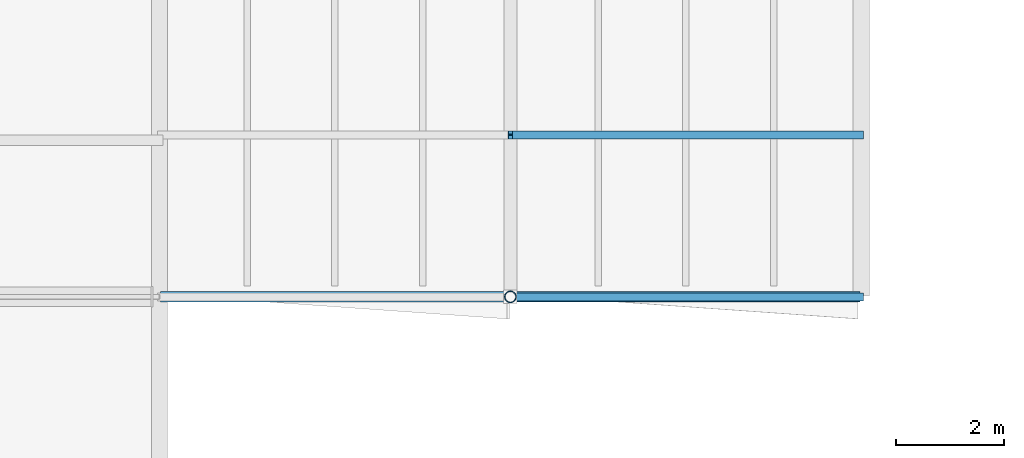
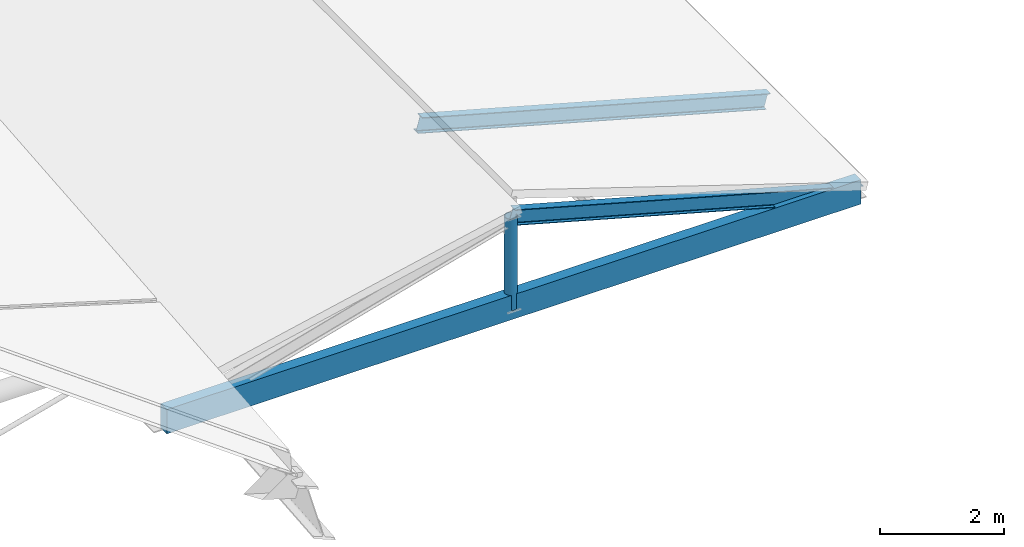
# One storey, part 66 of 90: 3 members, 1 beam.
"""IFC4 building model written with IfcOpenShell, lengths in metres."""

from ifc_helpers import new_model, si_unit, direction, frame, origin, origin_2d, place, context, subcontext, project, spatial, rectangle, hollow_circle, i_section, extrude, material, material_profile, profile_set, type_object, element, save


model = new_model("IFC4")

# Units and contexts
model_context = context("Model", 3, precision=1e-05, world=origin(), true_north=direction((0.0, 1.0)))
body_context = subcontext(model_context, "Body", "Model", "MODEL_VIEW")
ifc_project = project(units=[si_unit("LENGTHUNIT", "METRE"), si_unit("AREAUNIT", "SQUARE_METRE"), si_unit("VOLUMEUNIT", "CUBIC_METRE"), si_unit("PLANEANGLEUNIT", "RADIAN"), si_unit("MASSUNIT", "GRAM", prefix="KILO"), si_unit("THERMODYNAMICTEMPERATUREUNIT", "KELVIN"), si_unit("POWERUNIT", "WATT")], contexts=[model_context])

# Site, building, storey
site_placement = place(None, origin())
site = spatial("IfcSite", under=ifc_project, at=site_placement, CompositionType="ELEMENT")
building_placement = place(site_placement, origin())
building = spatial("IfcBuilding", under=site, at=building_placement, Name="Korenveer Ferry Terminal", CompositionType="ELEMENT")
storey_placement = place(building_placement, frame((0.0, 0.0, 22.199951171875)))
storey = spatial("IfcBuildingStorey", under=building, at=storey_placement, Name="RF", CompositionType="ELEMENT", Elevation=22.199951171875)

# Members
ifc_material_1 = material(Name="Steel S355", Category="steel")
ifc_material_profile_1 = material_profile(ifc_material_1, i_section(OverallWidth=0.14990234375, OverallDepth=0.300048828125, WebThickness=0.007080078125, FlangeThickness=0.0107421875, FilletRadius=0.014892578125, at=origin_2d()), Name="IPE 300")
ifc_profile_set_1 = profile_set([ifc_material_profile_1], Name="Steel S355")
member_type_1 = type_object("IfcMemberType", Name="STR-RAF-IPE300", PredefinedType="RAFTER", material=ifc_profile_set_1)
for number, where, z_axis, x_axis, name in (
    (1, (129.5, 80.0, -5.820068359375), (0.963737469599, 0.0, -0.26685218697), (0.0, 1.0, 0.0), "Pitched roof rafter 156"),
    (2, (129.5, 83.0, -5.820068359375), (0.963737469599, 0.0, -0.26685218697), (0.0, 1.0, 0.0), "Pitched roof rafter 158"),
):
    element("IfcMember", number, at=place(storey_placement, frame(where, z_axis=z_axis, x_axis=x_axis)), inside=storey, type_object=member_type_1, Name=name, PredefinedType="RAFTER", context=body_context, shape_type="SweptSolid", body=[
        extrude(i_section(OverallWidth=0.14990234375, OverallDepth=0.300048828125, WebThickness=0.007080078125, FlangeThickness=0.0107421875, FilletRadius=0.014892578125, at=origin_2d()), origin(), (0.0, 0.0, 1.0), 6.74462890625),
    ])

# Beam
ifc_material_2 = material(Name="Glulam GL28h", Category="wood")
ifc_material_profile_2 = material_profile(ifc_material_2, rectangle(XDim=0.199951171875, YDim=0.47998046875, at=origin_2d()), Name="GL 200x480")
ifc_profile_set_2 = profile_set([ifc_material_profile_2], Name="Glulam GL28h")
beam_type = type_object("IfcBeamType", Name="STR-RFG-GL200", PredefinedType="USERDEFINED", material=ifc_profile_set_2)
beam_placement = place(storey_placement, frame((123.02001953125, 80.0, -7.56005859375), z_axis=(1.0, 0.0, 0.0), x_axis=(0.0, 1.0, 0.0)))
element("IfcBeam", 3, at=beam_placement, inside=storey, type_object=beam_type, Name="Wing roof collar tie PIERE 214", ObjectType="ROOF GIRDER", PredefinedType="USERDEFINED", context=body_context, shape_type="SweptSolid", body=[
    extrude(rectangle(XDim=0.199951171875, YDim=0.47998046875, at=origin_2d()), origin(), (0.0, 0.0, 1.0), 12.9599609375),
])

# Member
ifc_material_profile_3 = material_profile(ifc_material_1, hollow_circle(Radius=0.109619140625, WallThickness=0.012451171875, at=origin_2d()), Name="CHS 219.1x12.5")
ifc_profile_set_3 = profile_set([ifc_material_profile_3], Name="Steel S355")
member_type_2 = type_object("IfcMemberType", Name="STR-STT-CHS219", PredefinedType="STRUT", material=ifc_profile_set_3)
member_placement = place(storey_placement, frame((129.5, 80.0, -7.619873046875), z_axis=(0.0, 0.0, 1.0), x_axis=(1.0, 0.0, 0.0)))
element("IfcMember", 4, at=member_placement, inside=storey, type_object=member_type_2, Name="Wing ridge strut STTWR-PIERE-Y80", PredefinedType="STRUT", context=body_context, shape_type="SweptSolid", body=[
    extrude(hollow_circle(Radius=0.109619140625, WallThickness=0.012451171875, at=origin_2d()), origin(), (0.0, 0.0, 1.0), 1.7998046875),
])

save(model, "model.ifc")
